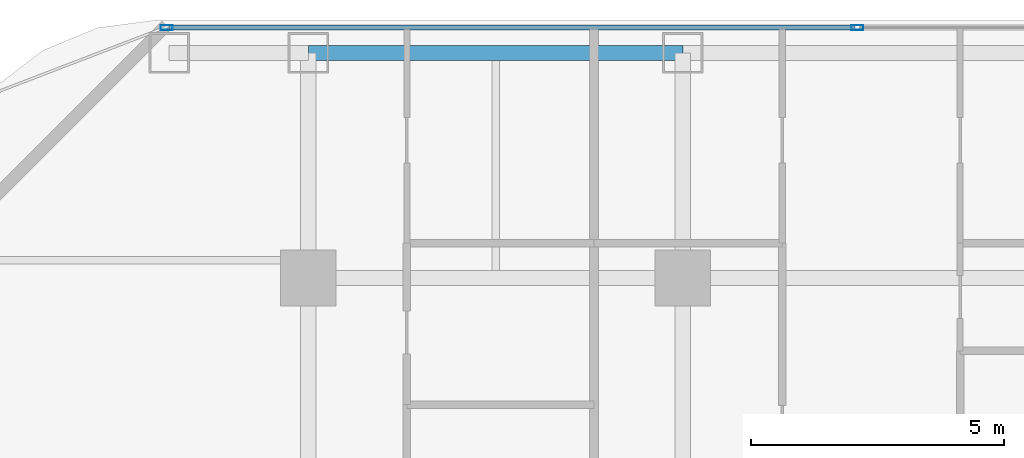
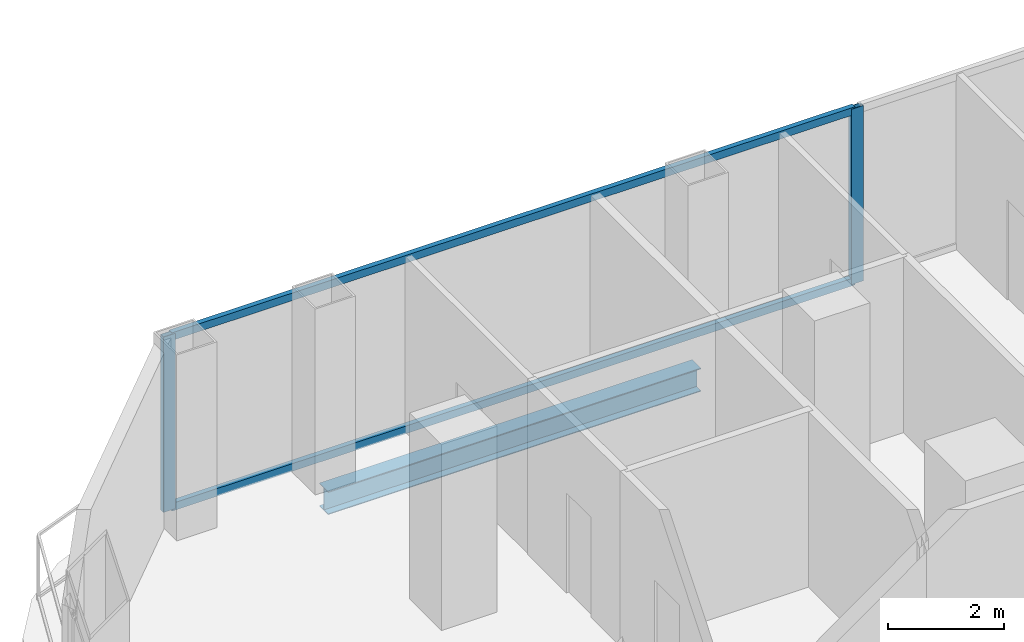
# One storey, part 16 of 27: 4 members, 1 beam, 1 element without a shape of its own.
"""IFC4 building model written with IfcOpenShell, lengths in metres."""

import ifcopenshell
import ifcopenshell.guid

model = None  # the IFC model being written
_history = None  # IfcOwnerHistory: only IFC2X3 demands one
_inside = {}  # id of a spatial element -> (the spatial element, [elements in it])
_under = {}  # id of a project, library or spatial element -> (it, [spatial elements below it])
_declared = {}  # id of a project -> (the project, [libraries it declares])
_typed = {}  # id of a type object -> (the type object, [elements of that type])
_made_of = {}  # id of a material, layer set ... -> (it, [elements and type objects made of it])


def new_model(schema):
    """Start an empty IFC model of exactly this schema.

    Asked for "IFC4X3", IfcOpenShell would pick the latest addendum, in which some entities
    have other attributes; the version numbers below select the first issue.
    IFC2X3 requires an IfcOwnerHistory on every rooted entity: one is made here for all.
    """
    global model, _history
    if schema == "IFC4X3":
        model = ifcopenshell.file(schema_version=(4, 3, 0, 0))
    else:
        model = ifcopenshell.file(schema=schema)
    _inside.clear()
    _under.clear()
    _declared.clear()
    _typed.clear()
    _made_of.clear()
    _history = None
    if model.schema == "IFC2X3":
        org = make("IfcOrganization", Name="unknown")
        user = make(
            "IfcPersonAndOrganization",
            ThePerson=make("IfcPerson", FamilyName="unknown"),
            TheOrganization=org,
        )
        app = make(
            "IfcApplication",
            ApplicationDeveloper=org,
            Version="unknown",
            ApplicationFullName="unknown",
            ApplicationIdentifier="unknown",
        )
        _history = make(
            "IfcOwnerHistory",
            OwningUser=user,
            OwningApplication=app,
            ChangeAction="ADDED",
            CreationDate=0,
        )
    return model


def make(cls, **values):
    """One entity of the class cls with the attributes given. An attribute that is None is left unset."""
    return model.create_entity(
        cls, **{name: value for name, value in values.items() if value is not None}
    )


def rooted(cls, **values):
    """An entity with a GlobalId (a new one), such as an element, a storey or a relation."""
    return make(cls, GlobalId=ifcopenshell.guid.new(), OwnerHistory=_history, **values)


def si_unit(unit_type, name, prefix=None):
    """IfcSIUnit, for example si_unit("LENGTHUNIT", "METRE", prefix="MILLI")."""
    return make("IfcSIUnit", UnitType=unit_type, Prefix=prefix, Name=name)


def assignment(units):
    """IfcUnitAssignment: the units of a project."""
    return None if units is None else make("IfcUnitAssignment", Units=units)


def point(xyz):
    """IfcCartesianPoint."""
    return None if xyz is None else make("IfcCartesianPoint", Coordinates=xyz)


def direction(xyz):
    """IfcDirection."""
    return None if xyz is None else make("IfcDirection", DirectionRatios=xyz)


def frame(location, z_axis=None, x_axis=None):
    """IfcAxis2Placement3D, a coordinate frame: its origin and axes. An axis left out is left unset."""
    return make(
        "IfcAxis2Placement3D",
        Location=point(location),
        Axis=direction(z_axis),
        RefDirection=direction(x_axis),
    )


def frame_2d(location, x_axis=None):
    """IfcAxis2Placement2D, a coordinate frame in the plane: its origin and x axis."""
    return make(
        "IfcAxis2Placement2D", Location=point(location), RefDirection=direction(x_axis)
    )


def origin():
    """The frame at (0, 0, 0) with its axes left unset."""
    return frame((0.0, 0.0, 0.0))


def origin_2d():
    """The frame at (0, 0) in the plane with its x axis left unset."""
    return frame_2d((0.0, 0.0))


def place(relative_to, where):
    """IfcLocalPlacement: puts the frame where relative to a parent placement (None: the world)."""
    return make(
        "IfcLocalPlacement", PlacementRelTo=relative_to, RelativePlacement=where
    )


def context(
    kind, dimensions, precision=None, world=None, true_north=None, identifier=None
):
    """IfcGeometricRepresentationContext, for example the 3D "Model" context."""
    return make(
        "IfcGeometricRepresentationContext",
        ContextIdentifier=identifier,
        ContextType=kind,
        CoordinateSpaceDimension=dimensions,
        Precision=precision,
        WorldCoordinateSystem=world,
        TrueNorth=true_north,
    )


def subcontext(parent, identifier, kind, view, scale=None):
    """IfcGeometricRepresentationSubContext, for example "Body" below "Model"."""
    return make(
        "IfcGeometricRepresentationSubContext",
        ContextIdentifier=identifier,
        ContextType=kind,
        ParentContext=parent,
        TargetScale=scale,
        TargetView=view,
    )


def project(units=None, contexts=None):
    """IfcProject with its units and contexts."""
    return rooted(
        "IfcProject",
        Name="project",
        RepresentationContexts=contexts,
        UnitsInContext=assignment(units),
    )


def spatial(cls, under=None, at=None, **own):
    """A site, building, storey or space (cls), placed at a placement, below another one or the project."""
    s = rooted(cls, ObjectPlacement=at, **own)
    if under is not None:
        _under.setdefault(under.id(), (under, []))[1].append(s)
    return s


def profile(cls, at=None, kind="AREA", **sizes):
    """A parametric profile (cls). Its sizes go by their IFC names, for example OverallWidth=200.0."""
    return make(cls, ProfileType=kind, Position=at, **sizes)


def hollow_rectangle(**sizes):
    """IfcRectangleHollowProfileDef."""
    return profile("IfcRectangleHollowProfileDef", **sizes)


def i_section(**sizes):
    """IfcIShapeProfileDef."""
    return profile("IfcIShapeProfileDef", **sizes)


def extrude(swept, where, along, depth):
    """IfcExtrudedAreaSolid: the profile swept, set in the frame where, extruded along a direction by depth."""
    return make(
        "IfcExtrudedAreaSolid",
        SweptArea=swept,
        Position=where,
        ExtrudedDirection=direction(along),
        Depth=depth,
    )


def shape(context_of_items, identifier, shape_type, items):
    """IfcShapeRepresentation: the items that make up one representation, for example the "Body"."""
    return make(
        "IfcShapeRepresentation",
        ContextOfItems=context_of_items,
        RepresentationIdentifier=identifier,
        RepresentationType=shape_type,
        Items=items,
    )


def material(Name=None, Category=None):
    """IfcMaterial."""
    return make("IfcMaterial", Name=Name, Category=Category)


def layer(
    of_material, thickness, ventilated=None, Name=None, Category=None, Priority=None
):
    """IfcMaterialLayer: one layer of a wall or slab, of a material (None: an air gap)."""
    return make(
        "IfcMaterialLayer",
        Material=of_material,
        LayerThickness=thickness,
        IsVentilated=ventilated,
        Name=Name,
        Category=Category,
        Priority=Priority,
    )


def layer_set(layers, Name=None):
    """IfcMaterialLayerSet."""
    return make("IfcMaterialLayerSet", MaterialLayers=layers, LayerSetName=Name)


def material_profile(
    of_material, cross_section, Name=None, Category=None, Priority=None
):
    """IfcMaterialProfile: a cross section and its material."""
    return make(
        "IfcMaterialProfile",
        Name=Name,
        Material=of_material,
        Profile=cross_section,
        Priority=Priority,
        Category=Category,
    )


def profile_set(profiles, Name=None, composite=None):
    """IfcMaterialProfileSet."""
    return make(
        "IfcMaterialProfileSet",
        Name=Name,
        MaterialProfiles=profiles,
        CompositeProfile=composite,
    )


def made_of(thing, what):
    """Note that an element or type object is made of a material, layer set ...; save() writes the relation."""
    if what is not None:
        _made_of.setdefault(what.id(), (what, []))[1].append(thing)
    return thing


def type_object(cls, material=None, **own):
    """A type object (cls), such as IfcWallType, which elements share."""
    return made_of(rooted(cls, **own), material)


def element(
    cls,
    number,
    at=None,
    inside=None,
    cuts=None,
    type_object=None,
    material=None,
    context=None,
    identifier="Body",
    shape_type=None,
    held_by="IfcProductDefinitionShape",
    body=None,
    shapes=None,
    **own,
):
    """One element of the class cls, such as IfcWall. Its Tag is "e" and its number.

    at: its placement. inside: the storey or other place that contains it. cuts: it is an
    opening in that element (IfcRelVoidsElement). A single representation is given by context,
    identifier, shape_type and body (its items); several are given by shapes. held_by: the class
    of the entity that holds the representations. save() writes the other relations.
    """
    e = rooted(cls, Tag="e%d" % number, ObjectPlacement=at, **own)
    if body is not None:
        shapes = [shape(context, identifier, shape_type, body)]
    if shapes is not None:
        e.Representation = make(held_by, Representations=shapes)
    if inside is not None:
        _inside.setdefault(inside.id(), (inside, []))[1].append(e)
    if cuts is not None:
        rooted(
            "IfcRelVoidsElement", RelatingBuildingElement=cuts, RelatedOpeningElement=e
        )
    if type_object is not None:
        _typed.setdefault(type_object.id(), (type_object, []))[1].append(e)
    return made_of(e, material)


def aggregate(whole, parts):
    """IfcRelAggregates: a whole, such as a stair, and the parts it consists of."""
    return rooted("IfcRelAggregates", RelatingObject=whole, RelatedObjects=parts)


def save(model, path):
    """Write the relations noted so far, then the file.

    IfcRelAggregates (storeys below a building ...), IfcRelContainedInSpatialStructure (elements
    in a storey), IfcRelDefinesByType, IfcRelAssociatesMaterial and IfcRelDeclares: one each for
    every whole, place, type object, material and project.
    """
    for whole, parts in _under.values():
        aggregate(whole, parts)
    for where, things in _inside.values():
        rooted(
            "IfcRelContainedInSpatialStructure",
            RelatedElements=things,
            RelatingStructure=where,
        )
    for kind, things in _typed.values():
        rooted("IfcRelDefinesByType", RelatedObjects=things, RelatingType=kind)
    for what, things in _made_of.values():
        rooted("IfcRelAssociatesMaterial", RelatedObjects=things, RelatingMaterial=what)
    for by, libraries in _declared.values():
        rooted("IfcRelDeclares", RelatingContext=by, RelatedDefinitions=libraries)
    model.write(path)


model = new_model("IFC4")

# Units and contexts
model_context = context("Model", 3, precision=1e-05, world=origin(), true_north=direction((0.0, 1.0)))
body_context = subcontext(model_context, "Body", "Model", "MODEL_VIEW")
ifc_project = project(units=[si_unit("LENGTHUNIT", "METRE"), si_unit("AREAUNIT", "SQUARE_METRE"), si_unit("VOLUMEUNIT", "CUBIC_METRE"), si_unit("PLANEANGLEUNIT", "RADIAN"), si_unit("MASSUNIT", "GRAM", prefix="KILO")], contexts=[model_context])

# Site, building, storey
site_placement = place(None, origin())
site = spatial("IfcSite", under=ifc_project, at=site_placement, CompositionType="ELEMENT")
building_placement = place(site_placement, origin())
building = spatial("IfcBuilding", under=site, at=building_placement, Name="Khorvyn Point Tower", CompositionType="ELEMENT")
storey_placement = place(building_placement, frame((0.0, 0.0, 46.199951171875)))
storey = spatial("IfcBuildingStorey", under=building, at=storey_placement, Name="L12", CompositionType="ELEMENT", Elevation=46.199951171875)

# Curtain wall, members
ifc_material_1 = material(Name="Anodised aluminium 6063-T6 and laminated Low-E glass", Category="aluminium")
ifc_layer = layer(ifc_material_1, 0.18994140625)
ifc_layer_set = layer_set([ifc_layer], Name="Stick-Built Finned Residential Curtain Wall CW-SYS-02")
curtain_wall_type = type_object("IfcCurtainWallType", Name="Stick-Built Finned Residential Curtain Wall CW-SYS-02", PredefinedType="NOTDEFINED", material=ifc_layer_set)
curtain_wall_placement = place(storey_placement, origin())
curtain_wall = element("IfcCurtainWall", 1, at=curtain_wall_placement, inside=storey, type_object=curtain_wall_type, Name="Curtain Wall", PredefinedType="NOTDEFINED")
ifc_material_2 = material(Name="Anodised aluminium 6063-T6", Category="aluminium")
ifc_material_profile_1 = material_profile(ifc_material_2, hollow_rectangle(XDim=0.10009765625, YDim=0.239990234375, WallThickness=0.0048828125, at=origin_2d()))
ifc_profile_set_1 = profile_set([ifc_material_profile_1], Name="Anodised aluminium 6063-T6 ALU-MUL-100x240")
member_type_1 = type_object("IfcMemberType", Name="Anodised Aluminium 6063-T6 Mullion ALU-MUL-100x240", PredefinedType="MULLION", material=ifc_profile_set_1)
member_1_placement = place(storey_placement, frame((-17.60009765625, 25.050048828125, 0.0), z_axis=(0.0, 0.0, 1.0), x_axis=(0.0, 1.0, 0.0)))
member_1 = element("IfcMember", 2, at=member_1_placement, type_object=member_type_1, Name="Transom", PredefinedType="MULLION", context=body_context, shape_type="SweptSolid", body=[
    extrude(hollow_rectangle(XDim=0.10009765625, YDim=0.239990234375, WallThickness=0.0048828125, at=origin_2d()), origin(), (0.0, 0.0, 1.0), 3.679931640625),
])
member_2_placement = place(storey_placement, frame((-3.949951171875, 25.050048828125, 0.0), z_axis=(0.0, 0.0, 1.0), x_axis=(0.0, 1.0, 0.0)))
member_2 = element("IfcMember", 3, at=member_2_placement, type_object=member_type_1, Name="Transom", PredefinedType="MULLION", context=body_context, shape_type="SweptSolid", body=[
    extrude(hollow_rectangle(XDim=0.10009765625, YDim=0.239990234375, WallThickness=0.0048828125, at=origin_2d()), origin(), (0.0, 0.0, 1.0), 3.679931640625),
])
ifc_material_profile_2 = material_profile(ifc_material_2, hollow_rectangle(XDim=0.10009765625, YDim=0.159912109375, WallThickness=0.00439453125, at=origin_2d()))
ifc_profile_set_2 = profile_set([ifc_material_profile_2], Name="Anodised aluminium 6063-T6 ALU-TRN-100x160")
member_type_2 = type_object("IfcMemberType", Name="Anodised Aluminium 6063-T6 Transom ALU-TRN-100x160", PredefinedType="USERDEFINED", material=ifc_profile_set_2)
member_3_placement = place(storey_placement, frame((-17.550048828125, 25.050048828125, 0.050048828125), z_axis=(1.0, 0.0, 0.0), x_axis=(0.0, 1.0, 0.0)))
member_3 = element("IfcMember", 4, at=member_3_placement, type_object=member_type_2, Name="Transom", ObjectType="TRANSOM", PredefinedType="USERDEFINED", context=body_context, shape_type="SweptSolid", body=[
    extrude(hollow_rectangle(XDim=0.10009765625, YDim=0.159912109375, WallThickness=0.00439453125, at=origin_2d()), origin(), (0.0, 0.0, 1.0), 13.550048828125),
])
member_4_placement = place(storey_placement, frame((-17.550048828125, 25.050048828125, 3.630126953125), z_axis=(1.0, 0.0, 0.0), x_axis=(0.0, 1.0, 0.0)))
member_4 = element("IfcMember", 5, at=member_4_placement, type_object=member_type_2, Name="Transom", ObjectType="TRANSOM", PredefinedType="USERDEFINED", context=body_context, shape_type="SweptSolid", body=[
    extrude(hollow_rectangle(XDim=0.10009765625, YDim=0.159912109375, WallThickness=0.00439453125, at=origin_2d()), origin(), (0.0, 0.0, 1.0), 13.550048828125),
])
aggregate(curtain_wall, [member_1, member_2, member_3, member_4])

# Beam
ifc_material_3 = material(Name="Steel S355", Category="steel")
ifc_material_profile_3 = material_profile(ifc_material_3, i_section(OverallWidth=0.300048828125, OverallDepth=0.488037109375, WebThickness=0.010986328125, FlangeThickness=0.01806640625, at=origin_2d()))
ifc_profile_set_3 = profile_set([ifc_material_profile_3], Name="Steel S355 H488x300x11x18")
beam_type = type_object("IfcBeamType", Name="Steel S355 Spandrel H488x300x11x18", PredefinedType="SPANDREL", material=ifc_profile_set_3)
beam_placement = place(storey_placement, frame((-14.800048828125, 24.550048828125, -0.4638671875), z_axis=(1.0, 0.0, 0.0), x_axis=(0.0, 1.0, 0.0)))
element("IfcBeam", 6, at=beam_placement, inside=storey, type_object=beam_type, Name="Beam", PredefinedType="SPANDREL", context=body_context, shape_type="SweptSolid", body=[
    extrude(i_section(OverallWidth=0.300048828125, OverallDepth=0.488037109375, WebThickness=0.010986328125, FlangeThickness=0.01806640625, at=origin_2d()), origin(), (0.0, 0.0, 1.0), 7.400146484375),
])

save(model, "model.ifc")
